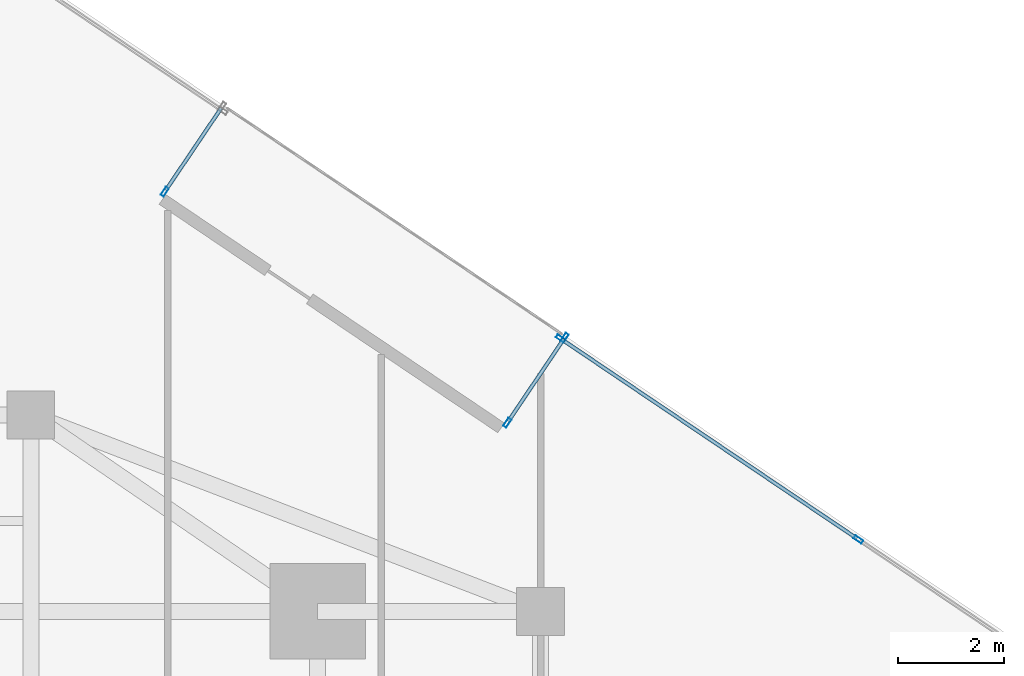
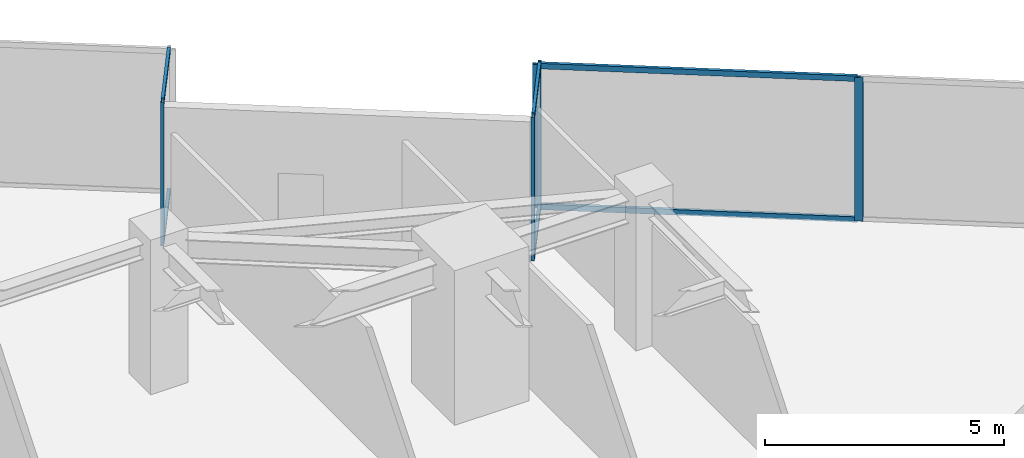
# One storey, part 19 of 27: 11 members, 3 elements without a shape of their own.
"""IFC4 building model written with IfcOpenShell, lengths in metres."""

from ifc_helpers import new_model, si_unit, direction, frame, origin, origin_2d, place, context, subcontext, project, spatial, hollow_rectangle, extrude, source, transform, mapped, material, material_profile, profile_set, type_object, type_shapes, element, aggregate, save


model = new_model("IFC4")

# Units and contexts
model_context = context("Model", 3, precision=1e-05, world=origin(), true_north=direction((0.0, 1.0)))
body_context = subcontext(model_context, "Body", "Model", "MODEL_VIEW")
ifc_project = project(units=[si_unit("LENGTHUNIT", "METRE"), si_unit("AREAUNIT", "SQUARE_METRE"), si_unit("VOLUMEUNIT", "CUBIC_METRE"), si_unit("PLANEANGLEUNIT", "RADIAN"), si_unit("MASSUNIT", "GRAM", prefix="KILO")], contexts=[model_context])

# Site, building, storey
site_placement = place(None, origin())
site = spatial("IfcSite", under=ifc_project, at=site_placement, CompositionType="ELEMENT")
building_placement = place(site_placement, origin())
building = spatial("IfcBuilding", under=site, at=building_placement, Name="Krantzveldt Concourse Tower", CompositionType="ELEMENT")
storey_placement = place(building_placement, frame((0.0, 0.0, 189.64990234375)))
storey = spatial("IfcBuildingStorey", under=building, at=storey_placement, Name="L46", CompositionType="ELEMENT", Elevation=189.64990234375)

# Curtain wall, members
ifc_material = material(Name="Anodised aluminium 6063-T6", Category="aluminium")
curtain_wall_type_1 = type_object("IfcCurtainWallType", Name="CW3", PredefinedType="USERDEFINED", material=ifc_material)
curtain_wall_1_placement = place(storey_placement, origin())
curtain_wall_1 = element("IfcCurtainWall", 1, at=curtain_wall_1_placement, inside=storey, type_object=curtain_wall_type_1, Name="CW-L46-F10", ObjectType="UNITISED CURTAIN WALL", PredefinedType="USERDEFINED")
ifc_material_profile_1 = material_profile(ifc_material, hollow_rectangle(XDim=0.070068359375, YDim=0.179931640625, WallThickness=0.0048828125, at=origin_2d()), Name="Anodised aluminium 6063-T6", Category="aluminium")
ifc_profile_set_1 = profile_set([ifc_material_profile_1], Name="Anodised aluminium 6063-T6 - ALU-MULL 180x70x5")
member_type_1 = type_object("IfcMemberType", Name="CW-MUL-180", PredefinedType="MULLION", material=ifc_profile_set_1)
shared_shape_1 = source(origin(), body_context, "Body", "SweptSolid", [
    extrude(hollow_rectangle(XDim=0.070068359375, YDim=0.179931640625, WallThickness=0.0048828125, at=origin_2d()), origin(), (0.0, 0.0, 1.0), 3.670166015625),
])
type_shapes(member_type_1, [shared_shape_1])
member_1_placement = place(storey_placement, frame((56.98388671875, 38.853759765625, 0.0), z_axis=(0.0, 0.0, 1.0), x_axis=(-0.559192760874, -0.829037668737, 0.0)))
member_1 = element("IfcMember", 2, at=member_1_placement, type_object=member_type_1, Name="CW-Z34 mullion 2", PredefinedType="MULLION", context=body_context, shape_type="MappedRepresentation", body=[
    mapped(shared_shape_1, transform((0.0, 0.0, 0.0), x_axis=(1.0, 0.0, 0.0), y_axis=(0.0, 1.0, 0.0), z_axis=(0.0, 0.0, 1.0), scale=1.0)),
])
member_2_placement = place(storey_placement, frame((51.375244140625, 42.63671875, 0.0), z_axis=(0.0, 0.0, 1.0), x_axis=(-0.559192760874, -0.829037668737, 0.0)))
member_2 = element("IfcMember", 3, at=member_2_placement, type_object=member_type_1, Name="CW-Z34 mullion 3", PredefinedType="MULLION", context=body_context, shape_type="MappedRepresentation", body=[
    mapped(shared_shape_1, transform((0.0, 0.0, 0.0), x_axis=(1.0, 0.0, 0.0), y_axis=(0.0, 1.0, 0.0), z_axis=(0.0, 0.0, 1.0), scale=1.0)),
])

curtain_wall_type_2 = type_object("IfcCurtainWallType", Name="CW6", PredefinedType="USERDEFINED", material=ifc_material)
curtain_wall_2_placement = place(storey_placement, origin())
curtain_wall_2 = element("IfcCurtainWall", 4, at=curtain_wall_2_placement, inside=storey, type_object=curtain_wall_type_2, Name="CW-L46-TR11", ObjectType="UNITISED CURTAIN WALL", PredefinedType="USERDEFINED")
member_3_placement = place(storey_placement, frame((51.45166015625, 42.651611328125, 0.0), z_axis=(0.0, 0.0, 1.0), x_axis=(0.829037359675, -0.559193219078, 0.0)))
member_3 = element("IfcMember", 5, at=member_3_placement, type_object=member_type_1, Name="CW-TERR mullion 1", PredefinedType="MULLION", context=body_context, shape_type="MappedRepresentation", body=[
    mapped(shared_shape_1, transform((0.0, 0.0, 0.0), x_axis=(1.0, 0.0, 0.0), y_axis=(0.0, 1.0, 0.0), z_axis=(0.0, 0.0, 1.0), scale=1.0)),
])
member_4_placement = place(storey_placement, frame((50.37255859375, 41.051513671875, 0.0), z_axis=(0.0, 0.0, 1.0), x_axis=(0.829037359675, -0.559193219078, 0.0)))
member_4 = element("IfcMember", 6, at=member_4_placement, type_object=member_type_1, Name="CW-TERR mullion 2", PredefinedType="MULLION", context=body_context, shape_type="MappedRepresentation", body=[
    mapped(shared_shape_1, transform((0.0, 0.0, 0.0), x_axis=(1.0, 0.0, 0.0), y_axis=(0.0, 1.0, 0.0), z_axis=(0.0, 0.0, 1.0), scale=1.0)),
])

# Curtain wall, member
curtain_wall_3_placement = place(storey_placement, origin())
curtain_wall_3 = element("IfcCurtainWall", 7, at=curtain_wall_3_placement, inside=storey, type_object=curtain_wall_type_2, Name="CW-L46-TR13", ObjectType="UNITISED CURTAIN WALL", PredefinedType="USERDEFINED")
member_5_placement = place(storey_placement, frame((43.922607421875, 45.402099609375, 0.0), z_axis=(0.0, 0.0, 1.0), x_axis=(-0.829039677631, 0.559189782554, 0.0)))
member_5 = element("IfcMember", 8, at=member_5_placement, type_object=member_type_1, Name="CW-TERR mullion 1", PredefinedType="MULLION", context=body_context, shape_type="MappedRepresentation", body=[
    mapped(shared_shape_1, transform((0.0, 0.0, 0.0), x_axis=(1.0, 0.0, 0.0), y_axis=(0.0, 1.0, 0.0), z_axis=(0.0, 0.0, 1.0), scale=1.0)),
])

# Member
ifc_material_profile_2 = material_profile(ifc_material, hollow_rectangle(XDim=0.070068359375, YDim=0.139892578125, WallThickness=0.0048828125, at=origin_2d()), Name="Anodised aluminium 6063-T6", Category="aluminium")
ifc_profile_set_2 = profile_set([ifc_material_profile_2], Name="Anodised aluminium 6063-T6 - ALU-TRAN 140x70x5")
member_type_2 = type_object("IfcMemberType", Name="CW-TRN-150", PredefinedType="USERDEFINED", material=ifc_profile_set_2)
shared_shape_2 = source(origin(), body_context, "Body", "SweptSolid", [
    extrude(hollow_rectangle(XDim=0.070068359375, YDim=0.139892578125, WallThickness=0.0048828125, at=origin_2d()), origin(), (0.0, 0.0, 1.0), 1.85986328125),
])
member_6_placement = place(storey_placement, frame((51.43212890625, 42.62255859375, 0.03515625), z_axis=(-0.559175239609, -0.829049486707, 0.0), x_axis=(0.829049486707, -0.559175239609, 0.0)))
member_6 = element("IfcMember", 9, at=member_6_placement, type_object=member_type_2, Name="CW-TERR transom 1.1", ObjectType="TRANSOM", PredefinedType="USERDEFINED", context=body_context, shape_type="MappedRepresentation", body=[
    mapped(shared_shape_2, transform((0.0, 0.0, 0.0), x_axis=(1.0, 0.0, 0.0), y_axis=(0.0, 1.0, 0.0), z_axis=(0.0, 0.0, 1.0), scale=1.0)),
])

member_7_placement = place(storey_placement, frame((51.43212890625, 42.62255859375, 3.635009765625), z_axis=(-0.559175239609, -0.829049486707, 0.0), x_axis=(0.829049486707, -0.559175239609, 0.0)))
member_7 = element("IfcMember", 10, at=member_7_placement, type_object=member_type_2, Name="CW-TERR transom 1.2", ObjectType="TRANSOM", PredefinedType="USERDEFINED", context=body_context, shape_type="MappedRepresentation", body=[
    mapped(shared_shape_2, transform((0.0, 0.0, 0.0), x_axis=(1.0, 0.0, 0.0), y_axis=(0.0, 1.0, 0.0), z_axis=(0.0, 0.0, 1.0), scale=1.0)),
])

aggregate(curtain_wall_2, [member_3, member_4, member_6, member_7])

member_8_placement = place(storey_placement, frame((43.942138671875, 45.43115234375, 0.03515625), z_axis=(0.559175239609, 0.829049486707, 0.0), x_axis=(-0.829049486707, 0.559175239609, 0.0)))
member_8 = element("IfcMember", 11, at=member_8_placement, type_object=member_type_2, Name="CW-TERR transom 1.1", ObjectType="TRANSOM", PredefinedType="USERDEFINED", context=body_context, shape_type="MappedRepresentation", body=[
    mapped(shared_shape_2, transform((0.0, 0.0, 0.0), x_axis=(1.0, 0.0, 0.0), y_axis=(0.0, 1.0, 0.0), z_axis=(0.0, 0.0, 1.0), scale=1.0)),
])

member_9_placement = place(storey_placement, frame((43.942138671875, 45.43115234375, 3.635009765625), z_axis=(0.559175239609, 0.829049486707, 0.0), x_axis=(-0.829049486707, 0.559175239609, 0.0)))
member_9 = element("IfcMember", 12, at=member_9_placement, type_object=member_type_2, Name="CW-TERR transom 1.2", ObjectType="TRANSOM", PredefinedType="USERDEFINED", context=body_context, shape_type="MappedRepresentation", body=[
    mapped(shared_shape_2, transform((0.0, 0.0, 0.0), x_axis=(1.0, 0.0, 0.0), y_axis=(0.0, 1.0, 0.0), z_axis=(0.0, 0.0, 1.0), scale=1.0)),
])

aggregate(curtain_wall_3, [member_5, member_8, member_9])

shared_shape_3 = source(origin(), body_context, "Body", "SweptSolid", [
    extrude(hollow_rectangle(XDim=0.070068359375, YDim=0.139892578125, WallThickness=0.0048828125, at=origin_2d()), origin(), (0.0, 0.0, 1.0), 6.695068359375),
])
type_shapes(member_type_2, [shared_shape_2, shared_shape_3])
member_10_placement = place(storey_placement, frame((56.954833984375, 38.87353515625, 0.03515625), z_axis=(-0.829053651382, 0.559169064891, 0.0), x_axis=(-0.559169064891, -0.829053651382, 0.0)))
member_10 = element("IfcMember", 13, at=member_10_placement, type_object=member_type_2, Name="CW-Z34 transom 2.1", ObjectType="TRANSOM", PredefinedType="USERDEFINED", context=body_context, shape_type="MappedRepresentation", body=[
    mapped(shared_shape_3, transform((0.0, 0.0, 0.0), x_axis=(1.0, 0.0, 0.0), y_axis=(0.0, 1.0, 0.0), z_axis=(0.0, 0.0, 1.0), scale=1.0)),
])

member_11_placement = place(storey_placement, frame((56.954833984375, 38.87353515625, 3.635009765625), z_axis=(-0.829053651382, 0.559169064891, 0.0), x_axis=(-0.559169064891, -0.829053651382, 0.0)))
member_11 = element("IfcMember", 14, at=member_11_placement, type_object=member_type_2, Name="CW-Z34 transom 2.2", ObjectType="TRANSOM", PredefinedType="USERDEFINED", context=body_context, shape_type="MappedRepresentation", body=[
    mapped(shared_shape_3, transform((0.0, 0.0, 0.0), x_axis=(1.0, 0.0, 0.0), y_axis=(0.0, 1.0, 0.0), z_axis=(0.0, 0.0, 1.0), scale=1.0)),
])

aggregate(curtain_wall_1, [member_1, member_2, member_10, member_11])

save(model, "model.ifc")
